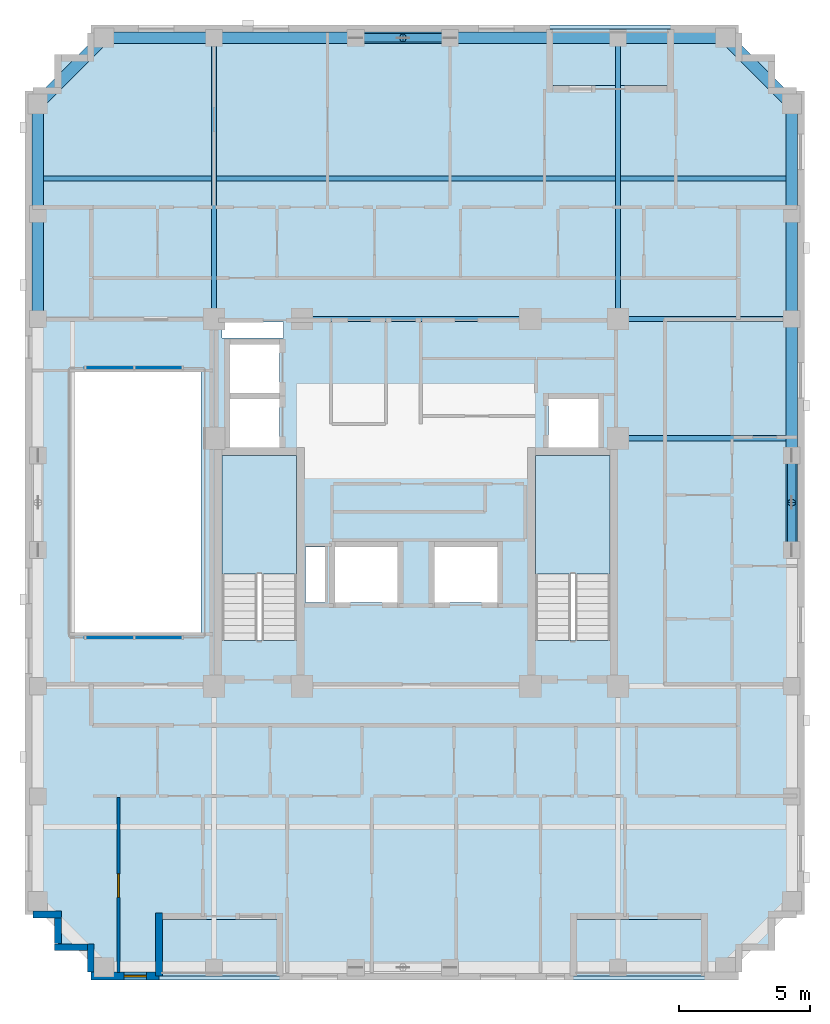
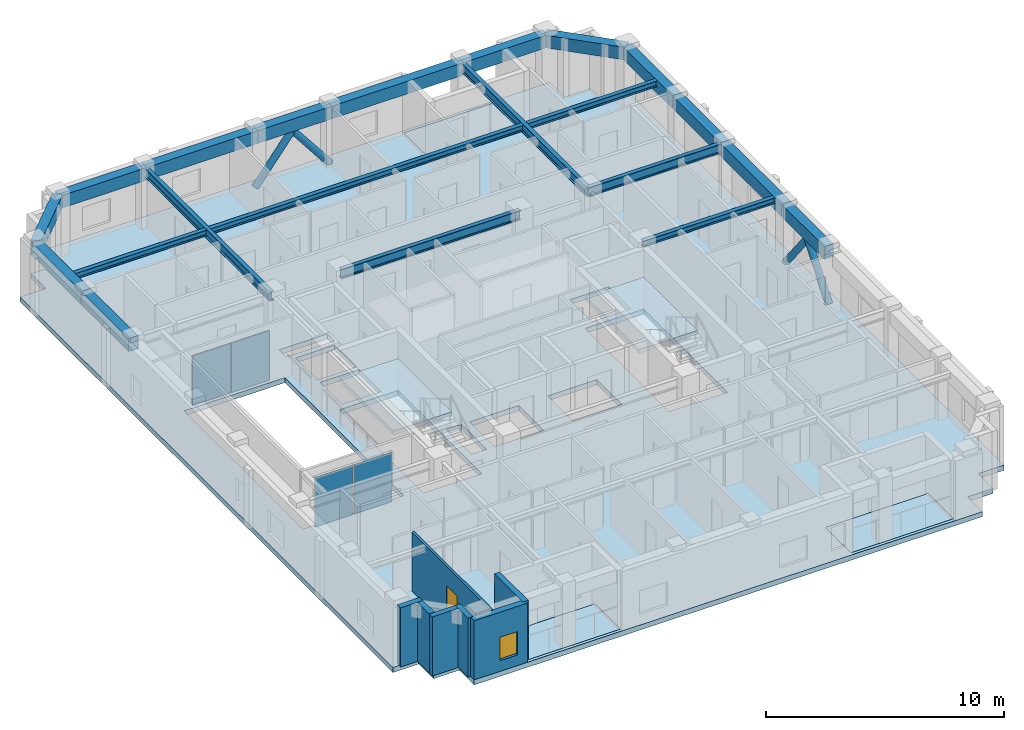
# One storey, part 3 of 13: 21 beams, 7 walls, 6 slabs, 4 members, 4 plates, 1 door, 1 window, 2 openings, 4 elements without a shape of their own.
"""IFC4 building model written with IfcOpenShell, lengths in metres."""

from ifc_helpers import new_model, si_unit, derived_unit, direction, frame, frame_2d, origin, origin_2d, place, context, subcontext, project, spatial, polyline, rectangle, hollow_circle, i_section, outline, extrude, material, layer, layer_set, material_profile, profile_set, type_object, element, fill, aggregate, save


model = new_model("IFC4")

# Units and contexts
model_context = context("Model", 3, precision=1e-05, world=origin(), true_north=direction((0.0, 1.0)))
body_context = subcontext(model_context, "Body", "Model", "MODEL_VIEW")
ifc_project = project(units=[si_unit("LENGTHUNIT", "METRE"), si_unit("AREAUNIT", "SQUARE_METRE"), si_unit("VOLUMEUNIT", "CUBIC_METRE"), si_unit("PLANEANGLEUNIT", "RADIAN"), si_unit("MASSUNIT", "GRAM", prefix="KILO"), derived_unit("THERMALTRANSMITTANCEUNIT", [(si_unit("MASSUNIT", "GRAM", prefix="KILO"), 1), (si_unit("TIMEUNIT", "SECOND"), -3), (si_unit("THERMODYNAMICTEMPERATUREUNIT", "KELVIN"), -1)])], contexts=[model_context])

# Site, building, storey
site_placement = place(None, origin())
site = spatial("IfcSite", under=ifc_project, at=site_placement, CompositionType="ELEMENT")
building_placement = place(site_placement, origin())
building = spatial("IfcBuilding", under=site, at=building_placement, Name="Korrvale Station Residences", CompositionType="ELEMENT")
storey_placement = place(building_placement, frame((0.0, 0.0, 181.0)))
storey = spatial("IfcBuildingStorey", under=building, at=storey_placement, Name="L52", CompositionType="ELEMENT", Elevation=181.0)

# Beams
ifc_material_1 = material(Name="Steel S355", Category="steel")
ifc_material_profile_1 = material_profile(ifc_material_1, i_section(OverallWidth=0.194091796875, OverallDepth=0.468994140625, WebThickness=0.0126953125, FlangeThickness=0.0205078125, FilletRadius=0.01611328125, at=origin_2d()), Name="W460x106")
ifc_profile_set_1 = profile_set([ifc_material_profile_1], Name="Steel S355")
beam_type_1 = type_object("IfcBeamType", Name="BM-BM-W460x106-S355", PredefinedType="BEAM", material=ifc_profile_set_1)
for number, where, z_axis, x_axis, name in (
    (1, (17.800048828125, 29.0, 2.805419921875), (0.0, 1.0, 0.0), (-1.0, 0.0, 0.0), "L52 Bundled-Tube Web Girder 03"),
    (2, (33.199951171875, 29.0, 2.805419921875), (0.0, 1.0, 0.0), (-1.0, 0.0, 0.0), "L52 Bundled-Tube Web Girder 04"),
):
    element("IfcBeam", number, at=place(storey_placement, frame(where, z_axis=z_axis, x_axis=x_axis)), inside=storey, type_object=beam_type_1, Name=name, PredefinedType="BEAM", context=body_context, shape_type="SweptSolid", body=[
        extrude(i_section(OverallWidth=0.194091796875, OverallDepth=0.468994140625, WebThickness=0.0126953125, FlangeThickness=0.0205078125, FilletRadius=0.01611328125, at=origin_2d()), origin(), (0.0, 0.0, 1.0), 10.719970703125),
    ])
beam_1_placement = place(storey_placement, frame((33.199951171875, 29.0, 2.805419921875), z_axis=(1.0, 0.0, 0.0), x_axis=(0.0, 1.0, 0.0)))
element("IfcBeam", 3, at=beam_1_placement, inside=storey, type_object=beam_type_1, Name="L52 Bundled-Tube Web Girder 08", PredefinedType="BEAM", context=body_context, shape_type="SweptSolid", body=[
    extrude(i_section(OverallWidth=0.194091796875, OverallDepth=0.468994140625, WebThickness=0.0126953125, FlangeThickness=0.0205078125, FilletRadius=0.01611328125, at=origin_2d()), origin(), (0.0, 0.0, 1.0), 6.6201171875),
])
beam_2_placement = place(storey_placement, frame((21.14990234375, 29.0, 2.805419921875), z_axis=(1.0, 0.0, 0.0), x_axis=(0.0, 1.0, 0.0)))
element("IfcBeam", 4, at=beam_2_placement, inside=storey, type_object=beam_type_1, Name="L52 Bundled-Tube Web Girder 10", PredefinedType="BEAM", context=body_context, shape_type="SweptSolid", body=[
    extrude(i_section(OverallWidth=0.194091796875, OverallDepth=0.468994140625, WebThickness=0.0126953125, FlangeThickness=0.0205078125, FilletRadius=0.01611328125, at=origin_2d()), origin(), (0.0, 0.0, 1.0), 8.7001953125),
])
ifc_material_profile_2 = material_profile(ifc_material_1, i_section(OverallWidth=0.202880859375, OverallDepth=0.302978515625, WebThickness=0.007568359375, FlangeThickness=0.01318359375, FilletRadius=0.014892578125, at=origin_2d()), Name="W310x60")
ifc_profile_set_2 = profile_set([ifc_material_profile_2], Name="Steel S355")
beam_type_2 = type_object("IfcBeamType", Name="BM-JST-W310x60-S355", PredefinedType="JOIST", material=ifc_profile_set_2)
beam_3_placement = place(storey_placement, frame((11.304931640625, 34.360107421875, 2.888427734375), z_axis=(1.0, 0.0, 0.0), x_axis=(0.0, 1.0, 0.0)))
element("IfcBeam", 5, at=beam_3_placement, inside=storey, type_object=beam_type_2, Name="L52 Floor Framing Joist 04", PredefinedType="JOIST", context=body_context, shape_type="SweptSolid", body=[
    extrude(i_section(OverallWidth=0.202880859375, OverallDepth=0.302978515625, WebThickness=0.007568359375, FlangeThickness=0.01318359375, FilletRadius=0.014892578125, at=origin_2d()), origin(), (0.0, 0.0, 1.0), 6.39794921875),
])
beam_4_placement = place(storey_placement, frame((17.89697265625, 34.360107421875, 2.888427734375), z_axis=(1.0, 0.0, 0.0), x_axis=(0.0, 1.0, 0.0)))
element("IfcBeam", 6, at=beam_4_placement, inside=storey, type_object=beam_type_2, Name="L52 Floor Framing Joist 05", PredefinedType="JOIST", context=body_context, shape_type="SweptSolid", body=[
    extrude(i_section(OverallWidth=0.202880859375, OverallDepth=0.302978515625, WebThickness=0.007568359375, FlangeThickness=0.01318359375, FilletRadius=0.014892578125, at=origin_2d()), origin(), (0.0, 0.0, 1.0), 15.2060546875),
])
beam_5_placement = place(storey_placement, frame((33.297119140625, 34.360107421875, 2.888427734375), z_axis=(1.0, 0.0, 0.0), x_axis=(0.0, 1.0, 0.0)))
element("IfcBeam", 7, at=beam_5_placement, inside=storey, type_object=beam_type_2, Name="L52 Floor Framing Joist 06", PredefinedType="JOIST", context=body_context, shape_type="SweptSolid", body=[
    extrude(i_section(OverallWidth=0.202880859375, OverallDepth=0.302978515625, WebThickness=0.007568359375, FlangeThickness=0.01318359375, FilletRadius=0.014892578125, at=origin_2d()), origin(), (0.0, 0.0, 1.0), 6.2978515625),
])
beam_6_placement = place(storey_placement, frame((33.199951171875, 24.449951171875, 2.888427734375), z_axis=(1.0, 0.0, 0.0), x_axis=(0.0, 1.0, 0.0)))
element("IfcBeam", 8, at=beam_6_placement, inside=storey, type_object=beam_type_2, Name="L52 Floor Framing Joist 07", PredefinedType="JOIST", context=body_context, shape_type="SweptSolid", body=[
    extrude(i_section(OverallWidth=0.202880859375, OverallDepth=0.302978515625, WebThickness=0.007568359375, FlangeThickness=0.01318359375, FilletRadius=0.014892578125, at=origin_2d()), origin(), (0.0, 0.0, 1.0), 6.39501953125),
])
ifc_material_2 = material(Name="Concrete C50/60", Category="concrete")
ifc_material_profile_3 = material_profile(ifc_material_2, rectangle(XDim=0.449951171875, YDim=0.64990234375, at=origin_2d()), Name="RCB450x650")
ifc_profile_set_3 = profile_set([ifc_material_profile_3], Name="Concrete C50/60")
beam_type_3 = type_object("IfcBeamType", Name="BM-SPB-RCB450x650-C5060", PredefinedType="SPANDREL", material=ifc_profile_set_3)
beam_7_placement = place(storey_placement, frame((13.60009765625, 39.719970703125, 2.715087890625), z_axis=(1.0, 0.0, 0.0), x_axis=(0.0, 1.0, 0.0)))
element("IfcBeam", 9, at=beam_7_placement, inside=storey, type_object=beam_type_3, Name="L52 North Tube Spandrel 06", PredefinedType="SPANDREL", context=body_context, shape_type="SweptSolid", body=[
    extrude(rectangle(XDim=0.449951171875, YDim=0.64990234375, at=origin_2d()), origin(), (0.0, 0.0, 1.0), 4.199951171875),
])
beam_8_placement = place(storey_placement, frame((17.800048828125, 39.719970703125, 2.715087890625), z_axis=(1.0, 0.0, 0.0), x_axis=(0.0, 1.0, 0.0)))
element("IfcBeam", 10, at=beam_8_placement, inside=storey, type_object=beam_type_3, Name="L52 North Tube Spandrel 07", PredefinedType="SPANDREL", context=body_context, shape_type="SweptSolid", body=[
    extrude(rectangle(XDim=0.449951171875, YDim=0.64990234375, at=origin_2d()), origin(), (0.0, 0.0, 1.0), 5.39990234375),
])
beam_9_placement = place(storey_placement, frame((23.199951171875, 39.719970703125, 2.715087890625), z_axis=(1.0, 0.0, 0.0), x_axis=(0.0, 1.0, 0.0)))
element("IfcBeam", 11, at=beam_9_placement, inside=storey, type_object=beam_type_3, Name="L52 North Tube Spandrel 08", PredefinedType="SPANDREL", context=body_context, shape_type="SweptSolid", body=[
    extrude(rectangle(XDim=0.449951171875, YDim=0.64990234375, at=origin_2d()), origin(), (0.0, 0.0, 1.0), 3.60009765625),
])
beam_10_placement = place(storey_placement, frame((26.800048828125, 39.719970703125, 2.715087890625), z_axis=(1.0, 0.0, 0.0), x_axis=(0.0, 1.0, 0.0)))
element("IfcBeam", 12, at=beam_10_placement, inside=storey, type_object=beam_type_3, Name="L52 North Tube Spandrel 09", PredefinedType="SPANDREL", context=body_context, shape_type="SweptSolid", body=[
    extrude(rectangle(XDim=0.449951171875, YDim=0.64990234375, at=origin_2d()), origin(), (0.0, 0.0, 1.0), 6.39990234375),
])
beam_11_placement = place(storey_placement, frame((33.199951171875, 39.719970703125, 2.715087890625), z_axis=(1.0, 0.0, 0.0), x_axis=(0.0, 1.0, 0.0)))
element("IfcBeam", 13, at=beam_11_placement, inside=storey, type_object=beam_type_3, Name="L52 North Tube Spandrel 10", PredefinedType="SPANDREL", context=body_context, shape_type="SweptSolid", body=[
    extrude(rectangle(XDim=0.449951171875, YDim=0.64990234375, at=origin_2d()), origin(), (0.0, 0.0, 1.0), 4.10009765625),
])
beam_12_placement = place(storey_placement, frame((11.080078125, 29.0, 2.715087890625), z_axis=(0.0, 1.0, 0.0), x_axis=(-1.0, 0.0, 0.0)))
element("IfcBeam", 14, at=beam_12_placement, inside=storey, type_object=beam_type_3, Name="L52 West Tube Spandrel 16", PredefinedType="SPANDREL", context=body_context, shape_type="SweptSolid", body=[
    extrude(rectangle(XDim=0.449951171875, YDim=0.64990234375, at=origin_2d()), origin(), (0.0, 0.0, 1.0), 4.0),
])
beam_13_placement = place(storey_placement, frame((11.080078125, 33.0, 2.715087890625), z_axis=(0.0, 1.0, 0.0), x_axis=(-1.0, 0.0, 0.0)))
element("IfcBeam", 15, at=beam_13_placement, inside=storey, type_object=beam_type_3, Name="L52 West Tube Spandrel 17", PredefinedType="SPANDREL", context=body_context, shape_type="SweptSolid", body=[
    extrude(rectangle(XDim=0.449951171875, YDim=0.64990234375, at=origin_2d()), origin(), (0.0, 0.0, 1.0), 4.199951171875),
])
beam_14_placement = place(storey_placement, frame((39.820068359375, 20.199951171875, 2.715087890625), z_axis=(0.0, 1.0, 0.0), x_axis=(-1.0, 0.0, 0.0)))
element("IfcBeam", 16, at=beam_14_placement, inside=storey, type_object=beam_type_3, Name="L52 East Tube Spandrel 21", PredefinedType="SPANDREL", context=body_context, shape_type="SweptSolid", body=[
    extrude(rectangle(XDim=0.449951171875, YDim=0.64990234375, at=origin_2d()), origin(), (0.0, 0.0, 1.0), 3.60009765625),
])
beam_15_placement = place(storey_placement, frame((39.820068359375, 23.800048828125, 2.715087890625), z_axis=(0.0, 1.0, 0.0), x_axis=(-1.0, 0.0, 0.0)))
element("IfcBeam", 17, at=beam_15_placement, inside=storey, type_object=beam_type_3, Name="L52 East Tube Spandrel 22", PredefinedType="SPANDREL", context=body_context, shape_type="SweptSolid", body=[
    extrude(rectangle(XDim=0.449951171875, YDim=0.64990234375, at=origin_2d()), origin(), (0.0, 0.0, 1.0), 5.199951171875),
])
beam_16_placement = place(storey_placement, frame((39.820068359375, 29.0, 2.715087890625), z_axis=(0.0, 1.0, 0.0), x_axis=(-1.0, 0.0, 0.0)))
element("IfcBeam", 18, at=beam_16_placement, inside=storey, type_object=beam_type_3, Name="L52 East Tube Spandrel 23", PredefinedType="SPANDREL", context=body_context, shape_type="SweptSolid", body=[
    extrude(rectangle(XDim=0.449951171875, YDim=0.64990234375, at=origin_2d()), origin(), (0.0, 0.0, 1.0), 4.0),
])
beam_17_placement = place(storey_placement, frame((39.820068359375, 33.0, 2.715087890625), z_axis=(0.0, 1.0, 0.0), x_axis=(-1.0, 0.0, 0.0)))
element("IfcBeam", 19, at=beam_17_placement, inside=storey, type_object=beam_type_3, Name="L52 East Tube Spandrel 24", PredefinedType="SPANDREL", context=body_context, shape_type="SweptSolid", body=[
    extrude(rectangle(XDim=0.449951171875, YDim=0.64990234375, at=origin_2d()), origin(), (0.0, 0.0, 1.0), 4.199951171875),
])
for number, where, z_axis, x_axis, name in (
    (20, (37.300048828125, 39.719970703125, 2.715087890625), (0.707106781187, -0.707106781187, 0.0), (0.707106781187, 0.707106781187, 0.0), "L52 Serrated Corner Spandrel 27"),
    (21, (13.60009765625, 39.719970703125, 2.715087890625), (-0.707106781187, -0.707106781187, 0.0), (0.707106781187, -0.707106781187, 0.0), "L52 Serrated Corner Spandrel 28"),
):
    element("IfcBeam", number, at=place(storey_placement, frame(where, z_axis=z_axis, x_axis=x_axis)), inside=storey, type_object=beam_type_3, Name=name, PredefinedType="SPANDREL", context=body_context, shape_type="SweptSolid", body=[
        extrude(rectangle(XDim=0.449951171875, YDim=0.64990234375, at=origin_2d()), origin(), (0.0, 0.0, 1.0), 3.56396484375),
    ])

# Members
ifc_material_profile_4 = material_profile(ifc_material_1, hollow_circle(Radius=0.161865234375, WallThickness=0.015869140625, at=origin_2d()), Name="HSS324x16")
ifc_profile_set_4 = profile_set([ifc_material_profile_4], Name="Steel S355")
member_type = type_object("IfcMemberType", Name="MBR-BR-HSS324x16", PredefinedType="BRACE", material=ifc_profile_set_4)
for number, where, z_axis, x_axis, name in (
    (22, (23.199951171875, 39.719970703125, 0.02001953125), (0.617977009695, 0.0, 0.786196168579), (0.0, 1.0, 0.0), "L52 N Perimeter Tube Wind Brace 1"),
    (23, (26.800048828125, 39.719970703125, 0.02001953125), (-0.617977009695, 0.0, 0.786196168579), (0.0, -1.0, 0.0), "L52 N Perimeter Tube Wind Brace 2"),
    (24, (39.820068359375, 20.199951171875, 0.02001953125), (0.0, 0.617977009695, 0.786196168579), (-1.0, 0.0, 0.0), "L52 E Perimeter Tube Wind Brace 1"),
    (25, (39.820068359375, 23.800048828125, 0.02001953125), (0.0, -0.617977009695, 0.786196168579), (1.0, 0.0, 0.0), "L52 E Perimeter Tube Wind Brace 2"),
):
    element("IfcMember", number, at=place(storey_placement, frame(where, z_axis=z_axis, x_axis=x_axis)), inside=storey, type_object=member_type, Name=name, PredefinedType="BRACE", context=body_context, shape_type="SweptSolid", body=[
        extrude(hollow_circle(Radius=0.161865234375, WallThickness=0.015869140625, at=origin_2d()), origin(), (0.0, 0.0, 1.0), 2.912841796875),
    ])

# Curtain wall, plates
ifc_material_3 = material(Name="Unitised thermally broken aluminium curtain wall with triple low-e IGU", Category="aluminium")
curtain_wall_type = type_object("IfcCurtainWallType", Name="CW-ATR-UPP", PredefinedType="NOTDEFINED", material=ifc_material_3)
curtain_wall_1_placement = place(storey_placement, origin())
curtain_wall_1 = element("IfcCurtainWall", 26, at=curtain_wall_1_placement, inside=storey, type_object=curtain_wall_type, Name="L52 Curtain Wall CW5-RUN-3", PredefinedType="NOTDEFINED")
ifc_material_4 = material(Name="Triple-glazed low-e argon insulated glass unit", Category="glass")
ifc_layer_1 = layer(ifc_material_4, 0.035888671875, Name="Triple-glazed low-e argon insulated glass unit")
ifc_layer_set_1 = layer_set([ifc_layer_1], Name="Triple-glazed low-e argon insulated glass unit")
plate_type = type_object("IfcPlateType", Name="CW-ATR-UPP-P", PredefinedType="CURTAIN_PANEL", material=ifc_layer_set_1)
plate_1_placement = place(storey_placement, frame((13.800048828125, 16.85009765625, 0.027587890625), z_axis=(0.0, 0.0, 1.0), x_axis=(1.0, 0.0, 0.0)))
plate_1 = element("IfcPlate", 27, at=plate_1_placement, type_object=plate_type, Name="CW-ATR-UPP Glazing Panel 1-1", PredefinedType="CURTAIN_PANEL", context=body_context, shape_type="SweptSolid", body=[
    extrude(rectangle(XDim=1.844970703125, YDim=0.035888671875, at=origin_2d()), origin(), (0.0, 0.0, 1.0), 2.544921875),
])
plate_2_placement = place(storey_placement, frame((15.699951171875, 16.85009765625, 0.027587890625), z_axis=(0.0, 0.0, 1.0), x_axis=(1.0, 0.0, 0.0)))
plate_2 = element("IfcPlate", 28, at=plate_2_placement, type_object=plate_type, Name="CW-ATR-UPP Glazing Panel 2-1", PredefinedType="CURTAIN_PANEL", context=body_context, shape_type="SweptSolid", body=[
    extrude(rectangle(XDim=1.844970703125, YDim=0.035888671875, at=origin_2d()), origin(), (0.0, 0.0, 1.0), 2.544921875),
])
aggregate(curtain_wall_1, [plate_1, plate_2])

curtain_wall_2_placement = place(storey_placement, origin())
curtain_wall_2 = element("IfcCurtainWall", 29, at=curtain_wall_2_placement, inside=storey, type_object=curtain_wall_type, Name="L52 Curtain Wall CW5-RUN-4", PredefinedType="NOTDEFINED")
plate_3_placement = place(storey_placement, frame((13.800048828125, 27.14990234375, 0.027587890625), z_axis=(0.0, 0.0, 1.0), x_axis=(1.0, 0.0, 0.0)))
plate_3 = element("IfcPlate", 30, at=plate_3_placement, type_object=plate_type, Name="CW-ATR-UPP Glazing Panel 1-1", PredefinedType="CURTAIN_PANEL", context=body_context, shape_type="SweptSolid", body=[
    extrude(rectangle(XDim=1.844970703125, YDim=0.035888671875, at=origin_2d()), origin(), (0.0, 0.0, 1.0), 2.544921875),
])
plate_4_placement = place(storey_placement, frame((15.699951171875, 27.14990234375, 0.027587890625), z_axis=(0.0, 0.0, 1.0), x_axis=(1.0, 0.0, 0.0)))
plate_4 = element("IfcPlate", 31, at=plate_4_placement, type_object=plate_type, Name="CW-ATR-UPP Glazing Panel 2-1", PredefinedType="CURTAIN_PANEL", context=body_context, shape_type="SweptSolid", body=[
    extrude(rectangle(XDim=1.844970703125, YDim=0.035888671875, at=origin_2d()), origin(), (0.0, 0.0, 1.0), 2.544921875),
])
aggregate(curtain_wall_2, [plate_3, plate_4])

# Slabs
ifc_layer_2 = layer(ifc_material_2, 0.219970703125, Name="Concrete C50/60")
ifc_layer_set_2 = layer_set([ifc_layer_2], Name="Concrete C50/60")
slab_type_1 = type_object("IfcSlabType", Name="SLB-BAL-220", PredefinedType="FLOOR", material=ifc_layer_set_2)
slab_1_placement = place(storey_placement, frame((0.0, 0.0, -0.219970703125)))
element("IfcSlab", 32, at=slab_1_placement, inside=storey, type_object=slab_type_1, Name="L52 Recessed Loggia Balcony Slab BAL-L52-S1", PredefinedType="FLOOR", context=body_context, shape_type="SweptSolid", body=[
    extrude(outline(polyline([(15.699951171875, 3.949951171875), (20.300048828125, 3.949951171875), (20.300048828125, 6.10009765625), (15.699951171875, 6.10009765625), (15.699951171875, 3.949951171875)])), origin(), (0.0, 0.0, 1.0), 0.219970703125),
])
slab_2_placement = place(storey_placement, frame((0.0, 0.0, -0.219970703125)))
element("IfcSlab", 33, at=slab_2_placement, inside=storey, type_object=slab_type_1, Name="L52 Recessed Loggia Balcony Slab BAL-L52-N1", PredefinedType="FLOOR", context=body_context, shape_type="SweptSolid", body=[
    extrude(outline(polyline([(30.60009765625, 37.89990234375), (35.199951171875, 37.89990234375), (35.199951171875, 40.050048828125), (30.60009765625, 40.050048828125), (30.60009765625, 37.89990234375)])), origin(), (0.0, 0.0, 1.0), 0.219970703125),
])
slab_3_placement = place(storey_placement, frame((0.0, 0.0, -0.219970703125)))
element("IfcSlab", 34, at=slab_3_placement, inside=storey, type_object=slab_type_1, Name="L52 Recessed Loggia Balcony Slab BAL-L52-S2", PredefinedType="FLOOR", context=body_context, shape_type="SweptSolid", body=[
    extrude(outline(polyline([(31.5, 3.949951171875), (36.5, 3.949951171875), (36.5, 6.10009765625), (31.5, 6.10009765625), (31.5, 3.949951171875)])), origin(), (0.0, 0.0, 1.0), 0.219970703125),
])
ifc_layer_3 = layer(ifc_material_2, 0.260009765625, Name="Concrete C50/60")
ifc_layer_set_3 = layer_set([ifc_layer_3], Name="Concrete C50/60")
slab_type_2 = type_object("IfcSlabType", Name="SLB-FLR-260", PredefinedType="FLOOR", material=ifc_layer_set_3)
slab_4_placement = place(storey_placement, frame((0.0, 0.0, -0.260009765625)))
element("IfcSlab", 35, at=slab_4_placement, inside=storey, type_object=slab_type_2, Name="L52 Suspended Structural Floor Slab", PredefinedType="FLOOR", context=body_context, shape_type="SweptSolid", body=[
    extrude(outline(polyline([(13.10009765625, 3.800048828125), (37.800048828125, 3.800048828125), (37.800048828125, 5.050048828125), (39.050048828125, 5.050048828125), (39.050048828125, 6.300048828125), (40.300048828125, 6.300048828125), (40.300048828125, 37.699951171875), (39.050048828125, 37.699951171875), (39.050048828125, 38.949951171875), (37.800048828125, 38.949951171875), (37.800048828125, 40.199951171875), (13.10009765625, 40.199951171875), (13.10009765625, 38.949951171875), (11.85009765625, 38.949951171875), (11.85009765625, 37.699951171875), (10.60009765625, 37.699951171875), (10.60009765625, 6.300048828125), (11.85009765625, 6.300048828125), (11.85009765625, 5.050048828125), (13.10009765625, 5.050048828125), (13.10009765625, 3.800048828125)]), holes=[polyline([(20.949951171875, 16.751953125), (20.949951171875, 23.800048828125), (18.10009765625, 23.800048828125), (18.10009765625, 16.751953125), (20.949951171875, 16.751953125)]), polyline([(32.89990234375, 16.751953125), (32.89990234375, 23.800048828125), (30.050048828125, 23.800048828125), (30.050048828125, 16.751953125), (32.89990234375, 16.751953125)]), polyline([(12.39990234375, 17.0), (17.300048828125, 17.0), (17.300048828125, 27.0), (12.39990234375, 27.0), (12.39990234375, 17.0)]), polyline([(18.39990234375, 24.10009765625), (20.300048828125, 24.10009765625), (20.300048828125, 25.949951171875), (18.39990234375, 25.949951171875), (18.39990234375, 24.10009765625)]), polyline([(18.39990234375, 26.169921875), (20.300048828125, 26.169921875), (20.300048828125, 28.02001953125), (18.39990234375, 28.02001953125), (18.39990234375, 26.169921875)]), polyline([(30.550048828125, 24.10009765625), (32.449951171875, 24.10009765625), (32.449951171875, 25.949951171875), (30.550048828125, 25.949951171875), (30.550048828125, 24.10009765625)]), polyline([(22.39990234375, 18.199951171875), (24.800048828125, 18.199951171875), (24.800048828125, 20.300048828125), (22.39990234375, 20.300048828125), (22.39990234375, 18.199951171875)]), polyline([(26.199951171875, 18.199951171875), (28.60009765625, 18.199951171875), (28.60009765625, 20.300048828125), (26.199951171875, 20.300048828125), (26.199951171875, 18.199951171875)]), polyline([(18.10009765625, 28.280029296875), (20.449951171875, 28.280029296875), (20.449951171875, 28.8798828125), (18.10009765625, 28.8798828125), (18.10009765625, 28.280029296875)]), polyline([(21.280029296875, 18.199951171875), (22.02001953125, 18.199951171875), (22.02001953125, 20.300048828125), (21.280029296875, 20.300048828125), (21.280029296875, 18.199951171875)]), polyline([(15.699951171875, 3.949951171875), (20.300048828125, 3.949951171875), (20.300048828125, 6.10009765625), (15.699951171875, 6.10009765625), (15.699951171875, 3.949951171875)]), polyline([(30.60009765625, 37.89990234375), (35.199951171875, 37.89990234375), (35.199951171875, 40.050048828125), (30.60009765625, 40.050048828125), (30.60009765625, 37.89990234375)]), polyline([(31.5, 3.949951171875), (36.5, 3.949951171875), (36.5, 6.10009765625), (31.5, 6.10009765625), (31.5, 3.949951171875)])]), origin(), (0.0, 0.0, 1.0), 0.260009765625),
])

# Stair, slab
stair_type = type_object("IfcStairType", Name="STR-DL-1350-20R-1650", PredefinedType="HALF_TURN_STAIR", material=ifc_material_2)
stair_1_placement = place(storey_placement, origin())
stair_1 = element("IfcStair", 36, at=stair_1_placement, inside=storey, type_object=stair_type, Name="L52 Exit Stair 1", PredefinedType="HALF_TURN_STAIR")
ifc_layer_4 = layer(ifc_material_2, 0.199951171875, Name="Concrete C50/60")
ifc_layer_set_4 = layer_set([ifc_layer_4], Name="Concrete C50/60")
slab_type_3 = type_object("IfcSlabType", Name="SLB-LND-200", PredefinedType="LANDING", material=ifc_layer_set_4)
slab_5_placement = place(storey_placement, frame((0.0, 0.0, 1.449951171875)))
slab_5 = element("IfcSlab", 37, at=slab_5_placement, type_object=slab_type_3, Name="ST-1 landing 1", PredefinedType="LANDING", context=body_context, shape_type="SweptSolid", body=[
    extrude(outline(polyline([(20.949951171875, 19.27001953125), (20.949951171875, 23.800048828125), (18.10009765625, 23.800048828125), (18.10009765625, 19.27001953125), (20.949951171875, 19.27001953125)])), origin(), (0.0, 0.0, 1.0), 0.199951171875),
])
aggregate(stair_1, [slab_5])

stair_2_placement = place(storey_placement, origin())
stair_2 = element("IfcStair", 38, at=stair_2_placement, inside=storey, type_object=stair_type, Name="L52 Exit Stair 2", PredefinedType="HALF_TURN_STAIR")
slab_6_placement = place(storey_placement, frame((0.0, 0.0, 1.449951171875)))
slab_6 = element("IfcSlab", 39, at=slab_6_placement, type_object=slab_type_3, Name="ST-2 landing 1", PredefinedType="LANDING", context=body_context, shape_type="SweptSolid", body=[
    extrude(outline(polyline([(32.89990234375, 19.27001953125), (32.89990234375, 23.800048828125), (30.050048828125, 23.800048828125), (30.050048828125, 19.27001953125), (32.89990234375, 19.27001953125)])), origin(), (0.0, 0.0, 1.0), 0.199951171875),
])
aggregate(stair_2, [slab_6])

# Walls
ifc_material_5 = material(Name="Precast concrete C45/55", Category="concrete")
ifc_layer_5 = layer(ifc_material_5, 0.260009765625, Name="Precast concrete C45/55")
ifc_layer_set_5 = layer_set([ifc_layer_5], Name="Precast concrete C45/55")
wall_type_1 = type_object("IfcWallType", Name="WAL-EXT-LOG260", PredefinedType="SOLIDWALL", material=ifc_layer_set_5)
wall_1_placement = place(storey_placement, frame((15.699951171875, 6.360107421875, 0.0), z_axis=(0.0, 0.0, 1.0), x_axis=(0.0, -1.0, 0.0)))
element("IfcWall", 40, at=wall_1_placement, inside=storey, type_object=wall_type_1, Name="L52 Recessed Loggia Wall BAL-L52-S1-R", PredefinedType="SOLIDWALL", context=body_context, shape_type="SweptSolid", body=[
    extrude(rectangle(XDim=2.400146484375, YDim=0.260009765625, at=frame_2d((1.2001953125, 0.0))), origin(), (0.0, 0.0, 1.0), 3.0400390625),
])
wall_2_placement = place(storey_placement, frame((13.10009765625, 4.10205078125, 0.0), z_axis=(0.0, 0.0, 1.0), x_axis=(0.0, 1.0, 0.0)))
element("IfcWall", 41, at=wall_2_placement, inside=storey, type_object=wall_type_1, Name="L52 Serrated Corner Precast Step SW-1", PredefinedType="SOLIDWALL", context=body_context, shape_type="SweptSolid", body=[
    extrude(rectangle(XDim=1.077880859375, YDim=0.260009765625, at=frame_2d((0.5390625, 0.0))), origin(), (0.0, 0.0, 1.0), 3.0400390625),
])
wall_3_placement = place(storey_placement, frame((12.968017578125, 5.050048828125, 0.0), z_axis=(0.0, 0.0, 1.0), x_axis=(-1.0, 0.0, 0.0)))
element("IfcWall", 42, at=wall_3_placement, inside=storey, type_object=wall_type_1, Name="L52 Serrated Corner Precast Step SW-2", PredefinedType="SOLIDWALL", context=body_context, shape_type="SweptSolid", body=[
    extrude(rectangle(XDim=1.248046875, YDim=0.260009765625, at=frame_2d((0.6240234375, 0.0))), origin(), (0.0, 0.0, 1.0), 3.0400390625),
])
wall_4_placement = place(storey_placement, frame((11.85009765625, 5.181884765625, 0.0), z_axis=(0.0, 0.0, 1.0), x_axis=(0.0, 1.0, 0.0)))
element("IfcWall", 43, at=wall_4_placement, inside=storey, type_object=wall_type_1, Name="L52 Serrated Corner Precast Step SW-3", PredefinedType="SOLIDWALL", context=body_context, shape_type="SweptSolid", body=[
    extrude(rectangle(XDim=0.986083984375, YDim=0.260009765625, at=frame_2d((0.4931640625, 0.0))), origin(), (0.0, 0.0, 1.0), 3.0400390625),
])
wall_5_placement = place(storey_placement, frame((11.97998046875, 6.300048828125, 0.0), z_axis=(0.0, 0.0, 1.0), x_axis=(-1.0, 0.0, 0.0)))
element("IfcWall", 44, at=wall_5_placement, inside=storey, type_object=wall_type_1, Name="L52 Serrated Corner Precast Step SW-4", PredefinedType="SOLIDWALL", context=body_context, shape_type="SweptSolid", body=[
    extrude(rectangle(XDim=1.077880859375, YDim=0.260009765625, at=frame_2d((0.5390625, 0.0))), origin(), (0.0, 0.0, 1.0), 3.0400390625),
])

# Wall, opening, window
ifc_layer_6 = layer(ifc_material_5, 0.300048828125, Name="Precast concrete C45/55")
ifc_layer_set_6 = layer_set([ifc_layer_6], Name="Precast concrete C45/55")
wall_type_2 = type_object("IfcWallType", Name="WAL-EXT-PC300", PredefinedType="SOLIDWALL", material=ifc_layer_set_6)
wall_6_placement = place(storey_placement, frame((15.699951171875, 3.949951171875, 0.0), z_axis=(0.0, 0.0, 1.0), x_axis=(-1.0, 0.0, 0.0)))
wall_6 = element("IfcWall", 45, at=wall_6_placement, inside=storey, type_object=wall_type_2, Name="L52 South Exterior Precast Wall 3", PredefinedType="SOLIDWALL", context=body_context, shape_type="SweptSolid", body=[
    extrude(rectangle(XDim=2.599853515625, YDim=0.300048828125, at=frame_2d((1.2998046875, 0.0))), origin(), (0.0, 0.0, 1.0), 3.0400390625),
])
opening_1_placement = place(wall_6_placement, frame((0.47998046875, 0.0, 0.550048828125)))
opening_1 = element("IfcOpeningElement", 46, at=opening_1_placement, cuts=wall_6, Name="Opening W-11", PredefinedType="OPENING", context=body_context, shape_type="SweptSolid", body=[
    extrude(rectangle(XDim=0.85009765625, YDim=1.199951171875, at=frame_2d((0.425048828125, 0.60009765625))), frame((0.0, 0.16015625, 0.0), z_axis=(0.0, -1.0, 0.0), x_axis=(1.0, 0.0, 0.0)), (0.0, 0.0, 1.0), 0.320068359375),
])
ifc_material_6 = material(Name="Thermally broken aluminium frame with triple low-e glazing", Category="aluminium")
window_type = type_object("IfcWindowType", Name="WIN-W11", PartitioningType="SINGLE_PANEL", PredefinedType="WINDOW", material=ifc_material_6)
window_placement = place(opening_1_placement, origin())
window = element("IfcWindow", 47, at=window_placement, inside=storey, type_object=window_type, Name="L52 Punched Window 02", OverallHeight=1.199951171875, OverallWidth=0.85009765625, PartitioningType="SINGLE_PANEL", PredefinedType="WINDOW", context=body_context, shape_type="SweptSolid", body=[
    extrude(rectangle(XDim=0.85009765625, YDim=1.199951171875, at=frame_2d((0.425048828125, 0.60009765625))), frame((0.0, 0.030029296875, 0.0), z_axis=(0.0, -1.0, 0.0), x_axis=(1.0, 0.0, 0.0)), (0.0, 0.0, 1.0), 0.06005859375),
])
fill(opening_1, window)

# Wall, opening, door
ifc_material_7 = material(Name="Acoustic steel-stud gypsum board partition", Category="steel")
ifc_layer_7 = layer(ifc_material_7, 0.1201171875, Name="Acoustic steel-stud gypsum board partition")
ifc_layer_set_7 = layer_set([ifc_layer_7], Name="Acoustic steel-stud gypsum board partition")
wall_type_3 = type_object("IfcWallType", Name="WAL-PART-125", PredefinedType="PARTITIONING", material=ifc_layer_set_7)
wall_7_placement = place(storey_placement, frame((14.14990234375, 4.080078125, 0.0), z_axis=(0.0, 0.0, 1.0), x_axis=(0.0, 1.0, 0.0)))
wall_7 = element("IfcWall", 48, at=wall_7_placement, inside=storey, type_object=wall_type_3, Name="L52 Suite Partition U01-V89", PredefinedType="PARTITIONING", context=body_context, shape_type="SweptSolid", body=[
    extrude(rectangle(XDim=6.669921875, YDim=0.1201171875, at=frame_2d((3.3349609375, 0.0))), origin(), (0.0, 0.0, 1.0), 3.0400390625),
])
opening_2_placement = place(wall_7_placement, frame((2.8701171875, 0.0, 0.0)))
opening_2 = element("IfcOpeningElement", 49, at=opening_2_placement, cuts=wall_7, Name="Opening DI-900", PredefinedType="OPENING", context=body_context, shape_type="SweptSolid", body=[
    extrude(rectangle(XDim=0.89990234375, YDim=2.050048828125, at=frame_2d((0.449951171875, 1.02490234375))), frame((0.0, 0.070068359375, 0.0), z_axis=(0.0, -1.0, 0.0), x_axis=(1.0, 0.0, 0.0)), (0.0, 0.0, 1.0), 0.14013671875),
])
ifc_material_8 = material(Name="Painted solid-core timber interior room door", Category="wood")
door_type = type_object("IfcDoorType", Name="DR-INT-900", OperationType="NOTDEFINED", PredefinedType="DOOR", material=ifc_material_8)
door_placement = place(opening_2_placement, origin())
door = element("IfcDoor", 50, at=door_placement, inside=storey, type_object=door_type, Name="L52 Studio Apartment L52-U01 Walk-In Wardrobe Door", OperationType="SINGLE_SWING_RIGHT", OverallHeight=2.050048828125, OverallWidth=0.89990234375, PredefinedType="DOOR", context=body_context, shape_type="SweptSolid", body=[
    extrude(rectangle(XDim=0.89990234375, YDim=2.050048828125, at=frame_2d((0.449951171875, 1.02490234375))), frame((0.0, 0.02490234375, 0.0), z_axis=(0.0, -1.0, 0.0), x_axis=(1.0, 0.0, 0.0)), (0.0, 0.0, 1.0), 0.050048828125),
])
fill(opening_2, door)

save(model, "model.ifc")
